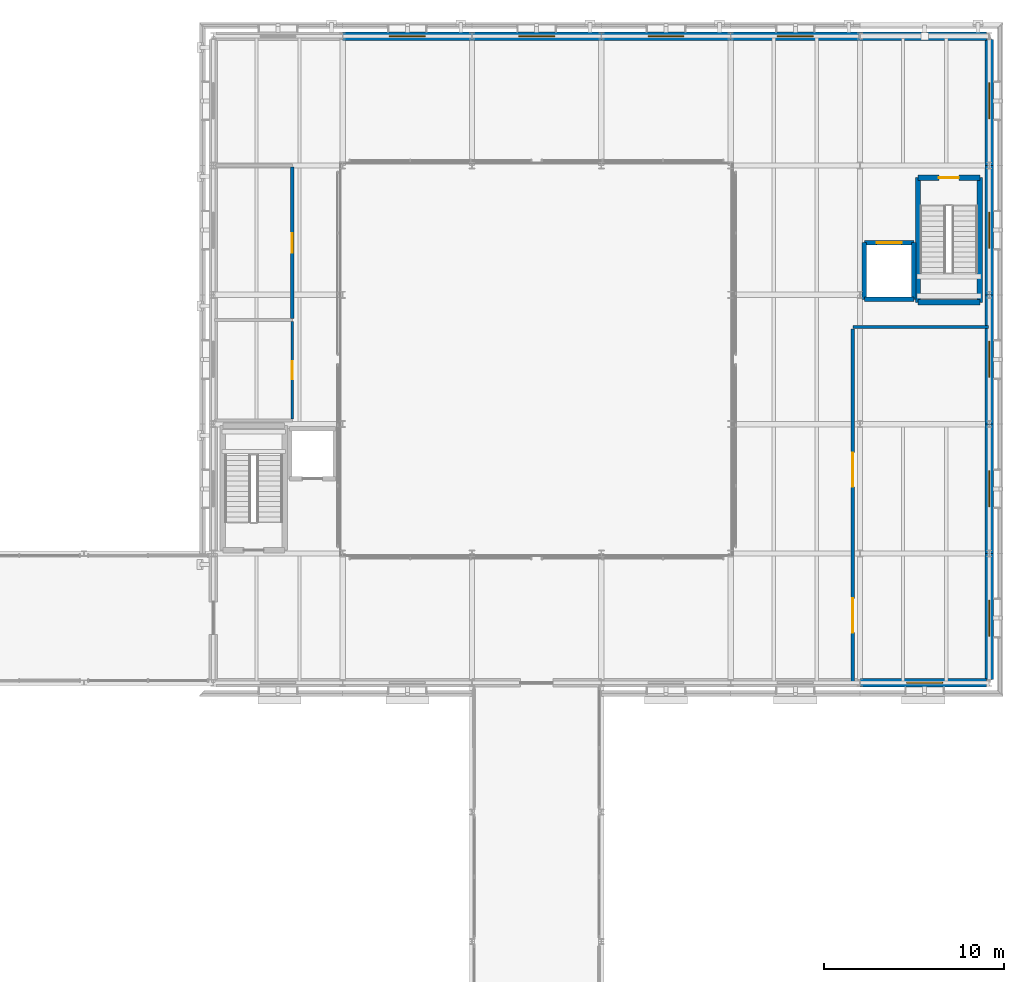
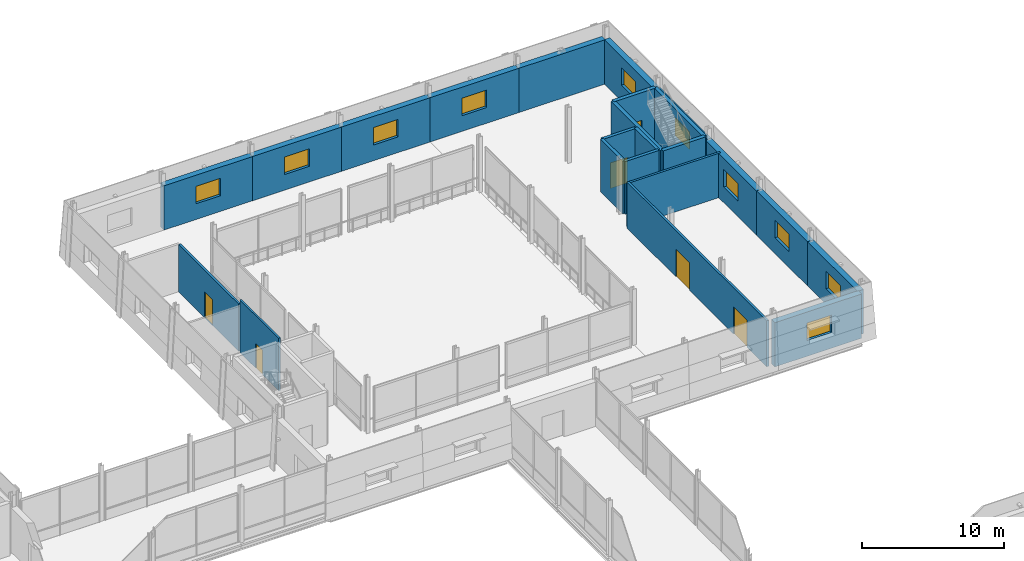
# One storey, part 87 of 121: 23 walls, 10 windows, 6 doors, 16 openings.
"""IFC4 building model written with IfcOpenShell, lengths in metres."""

from ifc_helpers import new_model, si_unit, direction, frame, frame_2d, origin, place, context, subcontext, project, spatial, rectangle, extrude, material, layer, layer_set, type_object, element, fill, save


model = new_model("IFC4")

# Units and contexts
model_context = context("Model", 3, precision=1e-05, world=origin(), true_north=direction((0.0, 1.0)))
body_context = subcontext(model_context, "Body", "Model", "MODEL_VIEW")
ifc_project = project(units=[si_unit("LENGTHUNIT", "METRE"), si_unit("AREAUNIT", "SQUARE_METRE"), si_unit("VOLUMEUNIT", "CUBIC_METRE"), si_unit("PLANEANGLEUNIT", "RADIAN"), si_unit("MASSUNIT", "GRAM", prefix="KILO")], contexts=[model_context])

# Site, building, storey
site_placement = place(None, origin())
site = spatial("IfcSite", under=ifc_project, at=site_placement, CompositionType="ELEMENT")
building_placement = place(site_placement, origin())
building = spatial("IfcBuilding", under=site, at=building_placement, Name="Narikvali Park Central Library", CompositionType="ELEMENT")
storey_placement = place(building_placement, frame((0.0, 0.0, 5.39990234375)))
storey = spatial("IfcBuildingStorey", under=building, at=storey_placement, Name="L01", CompositionType="ELEMENT", Elevation=5.39990234375)

# Wall, opening, door
ifc_material_1 = material(Name="Moisture-Resistant Cement Board on Steel Studs", Category="steel")
ifc_layer_1 = layer(ifc_material_1, 0.14990234375, Name="Moisture-Resistant Cement Board on Steel Studs")
ifc_layer_set_1 = layer_set([ifc_layer_1], Name="Moisture-Resistant Cement Board on Steel Studs")
wall_type_1 = type_object("IfcWallType", Name="Moisture-Resistant WC Partition 150", PredefinedType="PARTITIONING", material=ifc_layer_set_1)
wall_1_placement = place(storey_placement, frame((126.800048828125, 93.876953125, 0.0), z_axis=(0.0, 0.0, 1.0), x_axis=(0.0, 1.0, 0.0)))
wall_1 = element("IfcWall", 1, at=wall_1_placement, inside=storey, type_object=wall_type_1, Name="Upper Circle Accessible WC L01 Partition E", PredefinedType="PARTITIONING", context=body_context, shape_type="SweptSolid", body=[
    extrude(rectangle(XDim=5.446044921875, YDim=0.14990234375, at=frame_2d((2.72314453125, 0.0))), origin(), (0.0, 0.0, 1.0), 4.505126953125),
])
opening_1_placement = place(wall_1_placement, frame((2.23291015625, 0.0, 0.0)))
opening_1 = element("IfcOpeningElement", 2, at=opening_1_placement, cuts=wall_1, Name="Opening ID-0010", PredefinedType="OPENING", context=body_context, shape_type="SweptSolid", body=[
    extrude(rectangle(XDim=0.97998046875, YDim=2.10009765625, at=frame_2d((0.489990234375, 1.050048828125))), frame((0.0, 0.0869140625, 0.0), z_axis=(0.0, -1.0, 0.0), x_axis=(1.0, 0.0, 0.0)), (0.0, 0.0, 1.0), 0.173828125),
])
ifc_material_2 = material(Name="Laminate Faced Hardwood Core", Category="wood")
door_type_1 = type_object("IfcDoorType", Name="Accessible WC Outward-Opening Door 980x2100", OperationType="SINGLE_SWING_RIGHT", PredefinedType="DOOR", material=ifc_material_2)
door_1_placement = place(opening_1_placement, frame((0.97998046875, 0.0, 0.0), z_axis=(0.0, 0.0, 1.0), x_axis=(-1.0, 0.0, 0.0)))
door_1 = element("IfcDoor", 3, at=door_1_placement, inside=storey, type_object=door_type_1, Name="Upper Circle Accessible WC L01 Door ID-0010", OperationType="SINGLE_SWING_RIGHT", OverallHeight=2.10009765625, OverallWidth=0.97998046875, PredefinedType="DOOR", context=body_context, shape_type="SweptSolid", body=[
    extrude(rectangle(XDim=0.97998046875, YDim=2.10009765625, at=frame_2d((0.489990234375, 1.050048828125))), frame((0.0, 0.02490234375, 0.0), z_axis=(0.0, -1.0, 0.0), x_axis=(1.0, 0.0, 0.0)), (0.0, 0.0, 1.0), 0.050048828125),
])
fill(opening_1, door_1)

# Wall
ifc_material_3 = material(Name="Acoustic Gypsum on Steel Studs", Category="steel")
ifc_layer_2 = layer(ifc_material_3, 0.179931640625, Name="Acoustic Gypsum on Steel Studs")
ifc_layer_set_2 = layer_set([ifc_layer_2], Name="Acoustic Gypsum on Steel Studs")
wall_type_2 = type_object("IfcWallType", Name="Reading Room Acoustic Partition 180", PredefinedType="PARTITIONING", material=ifc_layer_set_2)
wall_2_placement = place(storey_placement, frame((158.0, 99.0, 0.0), z_axis=(0.0, 0.0, 1.0), x_axis=(1.0, 0.0, 0.0)))
element("IfcWall", 4, at=wall_2_placement, inside=storey, type_object=wall_type_2, Name="Chamber Lecture and Rehearsal Room Partition N", PredefinedType="PARTITIONING", context=body_context, shape_type="SweptSolid", body=[
    extrude(rectangle(XDim=7.544921875, YDim=0.179931640625, at=frame_2d((3.7724609375, 0.0))), origin(), (0.0, 0.0, 1.0), 3.80517578125),
])

# Wall, opening, door
wall_3_placement = place(storey_placement, frame((126.800048828125, 99.47705078125, 0.0), z_axis=(0.0, 0.0, 1.0), x_axis=(0.0, 1.0, 0.0)))
wall_3 = element("IfcWall", 5, at=wall_3_placement, inside=storey, type_object=wall_type_2, Name="Simultaneous Interpretation and Projection Suite Partition E", PredefinedType="PARTITIONING", context=body_context, shape_type="SweptSolid", body=[
    extrude(rectangle(XDim=8.430908203125, YDim=0.179931640625, at=frame_2d((4.21533203125, 0.0))), origin(), (0.0, 0.0, 1.0), 4.065185546875),
])
opening_2_placement = place(wall_3_placement, frame((3.675537109375, 0.0, 0.0)))
opening_2 = element("IfcOpeningElement", 6, at=opening_2_placement, cuts=wall_3, Name="Opening ID-0071", PredefinedType="OPENING", context=body_context, shape_type="SweptSolid", body=[
    extrude(rectangle(XDim=1.080078125, YDim=2.199951171875, at=frame_2d((0.5400390625, 1.10009765625))), frame((0.0, 0.10205078125, 0.0), z_axis=(0.0, -1.0, 0.0), x_axis=(1.0, 0.0, 0.0)), (0.0, 0.0, 1.0), 0.203857421875),
])
ifc_material_4 = material(Name="Heavy Acoustic Steel Core Leaf", Category="steel")
door_type_2 = type_object("IfcDoorType", Name="Media Recording Studio Acoustic Door 1080x2200", OperationType="SINGLE_SWING_RIGHT", PredefinedType="DOOR", material=ifc_material_4)
door_2_placement = place(opening_2_placement, origin())
door_2 = element("IfcDoor", 7, at=door_2_placement, inside=storey, type_object=door_type_2, Name="Simultaneous Interpretation and Projection Suite Door ID-0071", OperationType="SINGLE_SWING_LEFT", OverallHeight=2.199951171875, OverallWidth=1.080078125, PredefinedType="DOOR", context=body_context, shape_type="SweptSolid", body=[
    extrude(rectangle(XDim=1.080078125, YDim=2.199951171875, at=frame_2d((0.5400390625, 1.10009765625))), frame((0.0, 0.02490234375, 0.0), z_axis=(0.0, -1.0, 0.0), x_axis=(1.0, 0.0, 0.0)), (0.0, 0.0, 1.0), 0.050048828125),
])
fill(opening_2, door_2)

# Wall, openings, doors
wall_4_placement = place(storey_placement, frame((158.0, 79.2548828125, 0.0), z_axis=(0.0, 0.0, 1.0), x_axis=(0.0, 1.0, 0.0)))
wall_4 = element("IfcWall", 8, at=wall_4_placement, inside=storey, type_object=wall_type_2, Name="Chamber Lecture and Rehearsal Room Partition W", PredefinedType="PARTITIONING", context=body_context, shape_type="SweptSolid", body=[
    extrude(rectangle(XDim=19.653076171875, YDim=0.179931640625, at=frame_2d((9.82666015625, 0.0))), origin(), (0.0, 0.0, 1.0), 3.955078125),
])
opening_3_placement = place(wall_4_placement, frame((10.856689453125, 0.0, 0.0)))
opening_3 = element("IfcOpeningElement", 9, at=opening_3_placement, cuts=wall_4, Name="Opening ID-0072", PredefinedType="OPENING", context=body_context, shape_type="SweptSolid", body=[
    extrude(rectangle(XDim=1.89990234375, YDim=2.35009765625, at=frame_2d((0.949951171875, 1.175048828125))), frame((0.0, 0.10205078125, 0.0), z_axis=(0.0, -1.0, 0.0), x_axis=(1.0, 0.0, 0.0)), (0.0, 0.0, 1.0), 0.203857421875),
])
opening_4_placement = place(wall_4_placement, frame((2.742431640625, 0.0, 0.0)))
opening_4 = element("IfcOpeningElement", 10, at=opening_4_placement, cuts=wall_4, Name="Opening ID-0073", PredefinedType="OPENING", context=body_context, shape_type="SweptSolid", body=[
    extrude(rectangle(XDim=1.89990234375, YDim=2.35009765625, at=frame_2d((0.949951171875, 1.175048828125))), frame((0.0, 0.10205078125, 0.0), z_axis=(0.0, -1.0, 0.0), x_axis=(1.0, 0.0, 0.0)), (0.0, 0.0, 1.0), 0.203857421875),
])
ifc_material_5 = material(Name="Solid Caucasian Oak Acoustic Leaf")
door_type_3 = type_object("IfcDoorType", Name="Lecture Hall Double Acoustic Door 1900x2350", OperationType="DOUBLE_DOOR_SINGLE_SWING", PredefinedType="DOOR", material=ifc_material_5)
door_3_placement = place(opening_3_placement, origin())
door_3 = element("IfcDoor", 11, at=door_3_placement, inside=storey, type_object=door_type_3, Name="Chamber Lecture and Rehearsal Room Door ID-0072", OperationType="DOUBLE_DOOR_SINGLE_SWING", OverallHeight=2.35009765625, OverallWidth=1.89990234375, PredefinedType="DOOR", context=body_context, shape_type="SweptSolid", body=[
    extrude(rectangle(XDim=1.89990234375, YDim=2.35009765625, at=frame_2d((0.949951171875, 1.175048828125))), frame((0.0, 0.02490234375, 0.0), z_axis=(0.0, -1.0, 0.0), x_axis=(1.0, 0.0, 0.0)), (0.0, 0.0, 1.0), 0.050048828125),
])
fill(opening_3, door_3)
door_4_placement = place(opening_4_placement, origin())
door_4 = element("IfcDoor", 12, at=door_4_placement, inside=storey, type_object=door_type_3, Name="Chamber Lecture and Rehearsal Room Door ID-0073", OperationType="DOUBLE_DOOR_SINGLE_SWING", OverallHeight=2.35009765625, OverallWidth=1.89990234375, PredefinedType="DOOR", context=body_context, shape_type="SweptSolid", body=[
    extrude(rectangle(XDim=1.89990234375, YDim=2.35009765625, at=frame_2d((0.949951171875, 1.175048828125))), frame((0.0, 0.02490234375, 0.0), z_axis=(0.0, -1.0, 0.0), x_axis=(1.0, 0.0, 0.0)), (0.0, 0.0, 1.0), 0.050048828125),
])
fill(opening_4, door_4)

# Walls
ifc_material_6 = material(Name="Concrete C40/50", Category="concrete")
ifc_layer_3 = layer(ifc_material_6, 0.25, Name="Concrete C40/50")
ifc_layer_set_3 = layer_set([ifc_layer_3], Name="Concrete C40/50")
wall_type_3 = type_object("IfcWallType", Name="Reinforced Concrete Lift Shaft Wall 250", PredefinedType="SHEAR", material=ifc_layer_set_3)
wall_5_placement = place(storey_placement, frame((158.64990234375, 100.550048828125, 0.0), z_axis=(0.0, 0.0, 1.0), x_axis=(1.0, 0.0, 0.0)))
element("IfcWall", 13, at=wall_5_placement, inside=storey, type_object=wall_type_3, Name="GL-01 L01 Lift Shaft Wall S", PredefinedType="SHEAR", context=body_context, shape_type="SweptSolid", body=[
    extrude(rectangle(XDim=2.75, YDim=0.25, at=frame_2d((1.375, 0.0))), origin(), (0.0, 0.0, 1.0), 4.52001953125),
])
wall_6_placement = place(storey_placement, frame((161.39990234375, 100.550048828125, 0.0), z_axis=(0.0, 0.0, 1.0), x_axis=(0.0, 1.0, 0.0)))
element("IfcWall", 14, at=wall_6_placement, inside=storey, type_object=wall_type_3, Name="GL-01 L01 Lift Shaft Wall E", PredefinedType="SHEAR", context=body_context, shape_type="SweptSolid", body=[
    extrude(rectangle(XDim=3.14990234375, YDim=0.25, at=frame_2d((1.574951171875, 0.0))), origin(), (0.0, 0.0, 1.0), 4.52001953125),
])

# Wall, opening, door
wall_7_placement = place(storey_placement, frame((161.39990234375, 103.699951171875, 0.0), z_axis=(0.0, 0.0, 1.0), x_axis=(-1.0, 0.0, 0.0)))
wall_7 = element("IfcWall", 15, at=wall_7_placement, inside=storey, type_object=wall_type_3, Name="GL-01 L01 Lift Shaft Wall N", PredefinedType="SHEAR", context=body_context, shape_type="SweptSolid", body=[
    extrude(rectangle(XDim=2.75, YDim=0.25, at=frame_2d((1.375, 0.0))), origin(), (0.0, 0.0, 1.0), 4.52001953125),
])
opening_5_placement = place(wall_7_placement, frame((0.675048828125, 0.0, 0.0)))
opening_5 = element("IfcOpeningElement", 16, at=opening_5_placement, cuts=wall_7, Name="Opening LD-020", PredefinedType="OPENING", context=body_context, shape_type="SweptSolid", body=[
    extrude(rectangle(XDim=1.39990234375, YDim=2.199951171875, at=frame_2d((0.699951171875, 1.10009765625))), frame((0.0, 0.136962890625, 0.0), z_axis=(0.0, -1.0, 0.0), x_axis=(1.0, 0.0, 0.0)), (0.0, 0.0, 1.0), 0.27392578125),
])
ifc_material_7 = material(Name="Brushed Stainless Steel S355", Category="steel")
door_type_4 = type_object("IfcDoorType", Name="Book Goods Lift Sliding Landing Door 1400x2200", OperationType="DOUBLE_DOOR_SLIDING", PredefinedType="DOOR", material=ifc_material_7)
door_5_placement = place(opening_5_placement, origin())
door_5 = element("IfcDoor", 17, at=door_5_placement, inside=storey, type_object=door_type_4, Name="GL-01 L01 Lift Landing Sliding Door LD-020", OperationType="DOUBLE_DOOR_SLIDING", OverallHeight=2.199951171875, OverallWidth=1.39990234375, PredefinedType="DOOR", context=body_context, shape_type="SweptSolid", body=[
    extrude(rectangle(XDim=1.39990234375, YDim=2.199951171875, at=frame_2d((0.699951171875, 1.10009765625))), frame((0.0, 0.02490234375, 0.0), z_axis=(0.0, -1.0, 0.0), x_axis=(1.0, 0.0, 0.0)), (0.0, 0.0, 1.0), 0.050048828125),
])
fill(opening_5, door_5)

# Walls
wall_8_placement = place(storey_placement, frame((158.64990234375, 103.699951171875, 0.0), z_axis=(0.0, 0.0, 1.0), x_axis=(0.0, -1.0, 0.0)))
element("IfcWall", 18, at=wall_8_placement, inside=storey, type_object=wall_type_3, Name="GL-01 L01 Lift Shaft Wall W", PredefinedType="SHEAR", context=body_context, shape_type="SweptSolid", body=[
    extrude(rectangle(XDim=3.14990234375, YDim=0.25, at=frame_2d((1.574951171875, 0.0))), origin(), (0.0, 0.0, 1.0), 4.52001953125),
])
ifc_layer_4 = layer(ifc_material_6, 0.300048828125, Name="Concrete C40/50")
ifc_layer_set_4 = layer_set([ifc_layer_4], Name="Concrete C40/50")
wall_type_4 = type_object("IfcWallType", Name="Reinforced Concrete Shear Wall 300", PredefinedType="SHEAR", material=ifc_layer_set_4)
wall_9_placement = place(storey_placement, frame((161.6298828125, 100.3798828125, 0.0), z_axis=(0.0, 0.0, 1.0), x_axis=(1.0, 0.0, 0.0)))
element("IfcWall", 19, at=wall_9_placement, inside=storey, type_object=wall_type_4, Name="C3B L01 Stair Core Shear Wall S", PredefinedType="SHEAR", context=body_context, shape_type="SweptSolid", body=[
    extrude(rectangle(XDim=3.440185546875, YDim=0.300048828125, at=frame_2d((1.72021484375, 0.0))), origin(), (0.0, 0.0, 1.0), 4.52001953125),
])
wall_10_placement = place(storey_placement, frame((165.070068359375, 100.3798828125, 0.0), z_axis=(0.0, 0.0, 1.0), x_axis=(0.0, 1.0, 0.0)))
element("IfcWall", 20, at=wall_10_placement, inside=storey, type_object=wall_type_4, Name="C3B L01 Stair Core Shear Wall E", PredefinedType="SHEAR", context=body_context, shape_type="SweptSolid", body=[
    extrude(rectangle(XDim=6.940185546875, YDim=0.300048828125, at=frame_2d((3.47021484375, 0.0))), origin(), (0.0, 0.0, 1.0), 4.52001953125),
])

# Wall, opening, door
wall_11_placement = place(storey_placement, frame((165.070068359375, 107.320068359375, 0.0), z_axis=(0.0, 0.0, 1.0), x_axis=(-1.0, 0.0, 0.0)))
wall_11 = element("IfcWall", 21, at=wall_11_placement, inside=storey, type_object=wall_type_4, Name="C3B L01 Stair Core Shear Wall N", PredefinedType="SHEAR", context=body_context, shape_type="SweptSolid", body=[
    extrude(rectangle(XDim=3.440185546875, YDim=0.300048828125, at=frame_2d((1.72021484375, 0.0))), origin(), (0.0, 0.0, 1.0), 4.52001953125),
])
opening_6_placement = place(wall_11_placement, frame((1.169921875, 0.0, 0.0)))
opening_6 = element("IfcOpeningElement", 22, at=opening_6_placement, cuts=wall_11, Name="Opening SD-022", PredefinedType="OPENING", context=body_context, shape_type="SweptSolid", body=[
    extrude(rectangle(XDim=1.10009765625, YDim=2.14990234375, at=frame_2d((0.550048828125, 1.074951171875))), frame((0.0, 0.162109375, 0.0), z_axis=(0.0, -1.0, 0.0), x_axis=(1.0, 0.0, 0.0)), (0.0, 0.0, 1.0), 0.323974609375),
])
ifc_material_8 = material(Name="Powder-Coated Steel S275 Fire Leaf", Category="steel")
door_type_5 = type_object("IfcDoorType", Name="Stair Core Smoke-Control Fire Door 1100x2150", OperationType="SINGLE_SWING_LEFT", PredefinedType="DOOR", material=ifc_material_8)
door_6_placement = place(opening_6_placement, frame((1.10009765625, 0.0, 0.0), z_axis=(0.0, 0.0, 1.0), x_axis=(-1.0, 0.0, 0.0)))
door_6 = element("IfcDoor", 23, at=door_6_placement, inside=storey, type_object=door_type_5, Name="ST-06 L01 Stair Exit Door SD-022", OperationType="SINGLE_SWING_RIGHT", OverallHeight=2.14990234375, OverallWidth=1.10009765625, PredefinedType="DOOR", context=body_context, shape_type="SweptSolid", body=[
    extrude(rectangle(XDim=1.10009765625, YDim=2.14990234375, at=frame_2d((0.550048828125, 1.074951171875))), frame((0.0, 0.02490234375, 0.0), z_axis=(0.0, -1.0, 0.0), x_axis=(1.0, 0.0, 0.0)), (0.0, 0.0, 1.0), 0.050048828125),
])
fill(opening_6, door_6)

# Wall
wall_12_placement = place(storey_placement, frame((161.6298828125, 107.320068359375, 0.0), z_axis=(0.0, 0.0, 1.0), x_axis=(0.0, -1.0, 0.0)))
element("IfcWall", 24, at=wall_12_placement, inside=storey, type_object=wall_type_4, Name="C3B L01 Stair Core Shear Wall W", PredefinedType="SHEAR", context=body_context, shape_type="SweptSolid", body=[
    extrude(rectangle(XDim=6.940185546875, YDim=0.300048828125, at=frame_2d((3.47021484375, 0.0))), origin(), (0.0, 0.0, 1.0), 4.52001953125),
])

# Wall, opening, window
ifc_material_9 = material(Name="White Honed Limestone over Concrete C35/45", Category="masonry")
ifc_layer_5 = layer(ifc_material_9, 0.47998046875, Name="White Honed Limestone over Concrete C35/45")
ifc_layer_set_5 = layer_set([ifc_layer_5], Name="White Honed Limestone over Concrete C35/45")
wall_type_5 = type_object("IfcWallType", Name="White Limestone Battered Tier1 Wall 480", PredefinedType="SOLIDWALL", material=ifc_layer_set_5)
wall_13_placement = place(storey_placement, frame((158.39990234375, 79.199951171875, 0.0), z_axis=(0.0, 0.0, 1.0), x_axis=(1.0, 0.0, 0.0)))
wall_13 = element("IfcWall", 25, at=wall_13_placement, inside=storey, type_object=wall_type_5, Name="V3 L01 S Exterior Limestone Wall B06", PredefinedType="SOLIDWALL", context=body_context, shape_type="SweptSolid", body=[
    extrude(rectangle(XDim=7.046142578125, YDim=0.47998046875, at=frame_2d((3.52294921875, 0.0))), origin(), (0.0, 0.0, 1.0), 3.800048828125),
])
opening_7_placement = place(wall_13_placement, frame((2.60009765625, 0.0, 1.35009765625)))
opening_7 = element("IfcOpeningElement", 26, at=opening_7_placement, cuts=wall_13, Name="Opening WIN-0092", PredefinedType="OPENING", context=body_context, shape_type="SweptSolid", body=[
    extrude(rectangle(XDim=2.0, YDim=1.5, at=frame_2d((1.0, 0.75))), frame((0.0, 0.251953125, 0.0), z_axis=(0.0, -1.0, 0.0), x_axis=(1.0, 0.0, 0.0)), (0.0, 0.0, 1.0), 0.50390625),
])
ifc_material_10 = material(Name="Anodised Bronze Aluminium and Low-E Triple Glazing", Category="aluminium")
window_type = type_object("IfcWindowType", Name="Auditorium Acoustic Clerestory Window 2000x1500", PartitioningType="DOUBLE_PANEL_HORIZONTAL", PredefinedType="WINDOW", material=ifc_material_10)
window_1_placement = place(opening_7_placement, origin())
window_1 = element("IfcWindow", 27, at=window_1_placement, inside=storey, type_object=window_type, Name="V3 L01 S Deep-Reveal Window WIN-0092", OverallHeight=1.5, OverallWidth=2.0, PartitioningType="SINGLE_PANEL", PredefinedType="WINDOW", context=body_context, shape_type="SweptSolid", body=[
    extrude(rectangle(XDim=2.0, YDim=1.5, at=frame_2d((1.0, 0.75))), frame((0.0, 0.030029296875, 0.0), z_axis=(0.0, -1.0, 0.0), x_axis=(1.0, 0.0, 0.0)), (0.0, 0.0, 1.0), 0.06005859375),
])
fill(opening_7, window_1)

wall_14_placement = place(storey_placement, frame((165.60009765625, 79.384033203125, 0.0), z_axis=(0.0, 0.0, 1.0), x_axis=(0.0, 1.0, 0.0)))
wall_14 = element("IfcWall", 28, at=wall_14_placement, inside=storey, type_object=wall_type_5, Name="V3 L01 E Exterior Limestone Wall B01", PredefinedType="SOLIDWALL", context=body_context, shape_type="SweptSolid", body=[
    extrude(rectangle(XDim=7.015869140625, YDim=0.47998046875, at=frame_2d((3.5078125, 0.0))), origin(), (0.0, 0.0, 1.0), 3.800048828125),
])
opening_8_placement = place(wall_14_placement, frame((2.416015625, 0.0, 1.35009765625)))
opening_8 = element("IfcOpeningElement", 29, at=opening_8_placement, cuts=wall_14, Name="Opening WIN-0093", PredefinedType="OPENING", context=body_context, shape_type="SweptSolid", body=[
    extrude(rectangle(XDim=2.0, YDim=1.5, at=frame_2d((1.0, 0.75))), frame((0.0, 0.251953125, 0.0), z_axis=(0.0, -1.0, 0.0), x_axis=(1.0, 0.0, 0.0)), (0.0, 0.0, 1.0), 0.50390625),
])
window_2_placement = place(opening_8_placement, origin())
window_2 = element("IfcWindow", 30, at=window_2_placement, inside=storey, type_object=window_type, Name="V3 L01 E Deep-Reveal Window WIN-0093", OverallHeight=1.5, OverallWidth=2.0, PartitioningType="SINGLE_PANEL", PredefinedType="WINDOW", context=body_context, shape_type="SweptSolid", body=[
    extrude(rectangle(XDim=2.0, YDim=1.5, at=frame_2d((1.0, 0.75))), frame((0.0, 0.030029296875, 0.0), z_axis=(0.0, -1.0, 0.0), x_axis=(1.0, 0.0, 0.0)), (0.0, 0.0, 1.0), 0.06005859375),
])
fill(opening_8, window_2)

wall_15_placement = place(storey_placement, frame((165.60009765625, 86.39990234375, 0.0), z_axis=(0.0, 0.0, 1.0), x_axis=(0.0, 1.0, 0.0)))
wall_15 = element("IfcWall", 31, at=wall_15_placement, inside=storey, type_object=wall_type_5, Name="V3 L01 E Exterior Limestone Wall B02", PredefinedType="SOLIDWALL", context=body_context, shape_type="SweptSolid", body=[
    extrude(rectangle(XDim=7.2001953125, YDim=0.47998046875, at=frame_2d((3.60009765625, 0.0))), origin(), (0.0, 0.0, 1.0), 3.800048828125),
])
opening_9_placement = place(wall_15_placement, frame((2.60009765625, 0.0, 1.35009765625)))
opening_9 = element("IfcOpeningElement", 32, at=opening_9_placement, cuts=wall_15, Name="Opening WIN-0094", PredefinedType="OPENING", context=body_context, shape_type="SweptSolid", body=[
    extrude(rectangle(XDim=2.0, YDim=1.5, at=frame_2d((1.0, 0.75))), frame((0.0, 0.251953125, 0.0), z_axis=(0.0, -1.0, 0.0), x_axis=(1.0, 0.0, 0.0)), (0.0, 0.0, 1.0), 0.50390625),
])
window_3_placement = place(opening_9_placement, origin())
window_3 = element("IfcWindow", 33, at=window_3_placement, inside=storey, type_object=window_type, Name="V3 L01 E Deep-Reveal Window WIN-0094", OverallHeight=1.5, OverallWidth=2.0, PartitioningType="SINGLE_PANEL", PredefinedType="WINDOW", context=body_context, shape_type="SweptSolid", body=[
    extrude(rectangle(XDim=2.0, YDim=1.5, at=frame_2d((1.0, 0.75))), frame((0.0, 0.030029296875, 0.0), z_axis=(0.0, -1.0, 0.0), x_axis=(1.0, 0.0, 0.0)), (0.0, 0.0, 1.0), 0.06005859375),
])
fill(opening_9, window_3)

wall_16_placement = place(storey_placement, frame((165.60009765625, 93.60009765625, 0.0), z_axis=(0.0, 0.0, 1.0), x_axis=(0.0, 1.0, 0.0)))
wall_16 = element("IfcWall", 34, at=wall_16_placement, inside=storey, type_object=wall_type_5, Name="V3 L01 E Exterior Limestone Wall B03", PredefinedType="SOLIDWALL", context=body_context, shape_type="SweptSolid", body=[
    extrude(rectangle(XDim=7.199951171875, YDim=0.47998046875, at=frame_2d((3.60009765625, 0.0))), origin(), (0.0, 0.0, 1.0), 3.800048828125),
])
opening_10_placement = place(wall_16_placement, frame((2.60009765625, 0.0, 1.35009765625)))
opening_10 = element("IfcOpeningElement", 35, at=opening_10_placement, cuts=wall_16, Name="Opening WIN-0095", PredefinedType="OPENING", context=body_context, shape_type="SweptSolid", body=[
    extrude(rectangle(XDim=2.0, YDim=1.5, at=frame_2d((1.0, 0.75))), frame((0.0, 0.251953125, 0.0), z_axis=(0.0, -1.0, 0.0), x_axis=(1.0, 0.0, 0.0)), (0.0, 0.0, 1.0), 0.50390625),
])
window_4_placement = place(opening_10_placement, origin())
window_4 = element("IfcWindow", 36, at=window_4_placement, inside=storey, type_object=window_type, Name="V3 L01 E Deep-Reveal Window WIN-0095", OverallHeight=1.5, OverallWidth=2.0, PartitioningType="SINGLE_PANEL", PredefinedType="WINDOW", context=body_context, shape_type="SweptSolid", body=[
    extrude(rectangle(XDim=2.0, YDim=1.5, at=frame_2d((1.0, 0.75))), frame((0.0, 0.030029296875, 0.0), z_axis=(0.0, -1.0, 0.0), x_axis=(1.0, 0.0, 0.0)), (0.0, 0.0, 1.0), 0.06005859375),
])
fill(opening_10, window_4)

wall_17_placement = place(storey_placement, frame((165.60009765625, 100.800048828125, 0.0), z_axis=(0.0, 0.0, 1.0), x_axis=(0.0, 1.0, 0.0)))
wall_17 = element("IfcWall", 37, at=wall_17_placement, inside=storey, type_object=wall_type_5, Name="V3 L01 E Exterior Limestone Wall B04", PredefinedType="SOLIDWALL", context=body_context, shape_type="SweptSolid", body=[
    extrude(rectangle(XDim=7.199951171875, YDim=0.47998046875, at=frame_2d((3.60009765625, 0.0))), origin(), (0.0, 0.0, 1.0), 3.800048828125),
])
opening_11_placement = place(wall_17_placement, frame((2.60009765625, 0.0, 1.35009765625)))
opening_11 = element("IfcOpeningElement", 38, at=opening_11_placement, cuts=wall_17, Name="Opening WIN-0096", PredefinedType="OPENING", context=body_context, shape_type="SweptSolid", body=[
    extrude(rectangle(XDim=2.0, YDim=1.5, at=frame_2d((1.0, 0.75))), frame((0.0, 0.251953125, 0.0), z_axis=(0.0, -1.0, 0.0), x_axis=(1.0, 0.0, 0.0)), (0.0, 0.0, 1.0), 0.50390625),
])
window_5_placement = place(opening_11_placement, origin())
window_5 = element("IfcWindow", 39, at=window_5_placement, inside=storey, type_object=window_type, Name="V3 L01 E Deep-Reveal Window WIN-0096", OverallHeight=1.5, OverallWidth=2.0, PartitioningType="SINGLE_PANEL", PredefinedType="WINDOW", context=body_context, shape_type="SweptSolid", body=[
    extrude(rectangle(XDim=2.0, YDim=1.5, at=frame_2d((1.0, 0.75))), frame((0.0, 0.030029296875, 0.0), z_axis=(0.0, -1.0, 0.0), x_axis=(1.0, 0.0, 0.0)), (0.0, 0.0, 1.0), 0.06005859375),
])
fill(opening_11, window_5)

wall_18_placement = place(storey_placement, frame((165.60009765625, 108.0, 0.0), z_axis=(0.0, 0.0, 1.0), x_axis=(0.0, 1.0, 0.0)))
wall_18 = element("IfcWall", 40, at=wall_18_placement, inside=storey, type_object=wall_type_5, Name="V3 L01 E Exterior Limestone Wall B05", PredefinedType="SOLIDWALL", context=body_context, shape_type="SweptSolid", body=[
    extrude(rectangle(XDim=7.01611328125, YDim=0.47998046875, at=frame_2d((3.508056640625, 0.0))), origin(), (0.0, 0.0, 1.0), 3.800048828125),
])
opening_12_placement = place(wall_18_placement, frame((2.60009765625, 0.0, 1.35009765625)))
opening_12 = element("IfcOpeningElement", 41, at=opening_12_placement, cuts=wall_18, Name="Opening WIN-0097", PredefinedType="OPENING", context=body_context, shape_type="SweptSolid", body=[
    extrude(rectangle(XDim=2.0, YDim=1.5, at=frame_2d((1.0, 0.75))), frame((0.0, 0.251953125, 0.0), z_axis=(0.0, -1.0, 0.0), x_axis=(1.0, 0.0, 0.0)), (0.0, 0.0, 1.0), 0.50390625),
])
window_6_placement = place(opening_12_placement, origin())
window_6 = element("IfcWindow", 42, at=window_6_placement, inside=storey, type_object=window_type, Name="V3 L01 E Deep-Reveal Window WIN-0097", OverallHeight=1.5, OverallWidth=2.0, PartitioningType="SINGLE_PANEL", PredefinedType="WINDOW", context=body_context, shape_type="SweptSolid", body=[
    extrude(rectangle(XDim=2.0, YDim=1.5, at=frame_2d((1.0, 0.75))), frame((0.0, 0.030029296875, 0.0), z_axis=(0.0, -1.0, 0.0), x_axis=(1.0, 0.0, 0.0)), (0.0, 0.0, 1.0), 0.06005859375),
])
fill(opening_12, window_6)

# Wall
wall_19_placement = place(storey_placement, frame((165.446044921875, 115.199951171875, 0.0), z_axis=(0.0, 0.0, 1.0), x_axis=(-1.0, 0.0, 0.0)))
element("IfcWall", 43, at=wall_19_placement, inside=storey, type_object=wall_type_5, Name="V3 L01 N Exterior Limestone Wall B01", PredefinedType="SOLIDWALL", context=body_context, shape_type="SweptSolid", body=[
    extrude(rectangle(XDim=7.046142578125, YDim=0.47998046875, at=frame_2d((3.52294921875, 0.0))), origin(), (0.0, 0.0, 1.0), 3.800048828125),
])

# Wall, opening, window
wall_20_placement = place(storey_placement, frame((158.39990234375, 115.199951171875, 0.0), z_axis=(0.0, 0.0, 1.0), x_axis=(-1.0, 0.0, 0.0)))
wall_20 = element("IfcWall", 44, at=wall_20_placement, inside=storey, type_object=wall_type_5, Name="V3 L01 N Exterior Limestone Wall B02", PredefinedType="SOLIDWALL", context=body_context, shape_type="SweptSolid", body=[
    extrude(rectangle(XDim=7.199951171875, YDim=0.47998046875, at=frame_2d((3.60009765625, 0.0))), origin(), (0.0, 0.0, 1.0), 3.800048828125),
])
opening_13_placement = place(wall_20_placement, frame((2.60009765625, 0.0, 1.35009765625)))
opening_13 = element("IfcOpeningElement", 45, at=opening_13_placement, cuts=wall_20, Name="Opening WIN-0098", PredefinedType="OPENING", context=body_context, shape_type="SweptSolid", body=[
    extrude(rectangle(XDim=2.0, YDim=1.5, at=frame_2d((1.0, 0.75))), frame((0.0, 0.251953125, 0.0), z_axis=(0.0, -1.0, 0.0), x_axis=(1.0, 0.0, 0.0)), (0.0, 0.0, 1.0), 0.50390625),
])
window_7_placement = place(opening_13_placement, origin())
window_7 = element("IfcWindow", 46, at=window_7_placement, inside=storey, type_object=window_type, Name="V3 L01 N Deep-Reveal Window WIN-0098", OverallHeight=1.5, OverallWidth=2.0, PartitioningType="SINGLE_PANEL", PredefinedType="WINDOW", context=body_context, shape_type="SweptSolid", body=[
    extrude(rectangle(XDim=2.0, YDim=1.5, at=frame_2d((1.0, 0.75))), frame((0.0, 0.030029296875, 0.0), z_axis=(0.0, -1.0, 0.0), x_axis=(1.0, 0.0, 0.0)), (0.0, 0.0, 1.0), 0.06005859375),
])
fill(opening_13, window_7)

wall_21_placement = place(storey_placement, frame((151.199951171875, 115.199951171875, 0.0), z_axis=(0.0, 0.0, 1.0), x_axis=(-1.0, 0.0, 0.0)))
wall_21 = element("IfcWall", 47, at=wall_21_placement, inside=storey, type_object=wall_type_5, Name="V3 L01 N Exterior Limestone Wall B03", PredefinedType="SOLIDWALL", context=body_context, shape_type="SweptSolid", body=[
    extrude(rectangle(XDim=7.199951171875, YDim=0.47998046875, at=frame_2d((3.60009765625, 0.0))), origin(), (0.0, 0.0, 1.0), 3.800048828125),
])
opening_14_placement = place(wall_21_placement, frame((2.60009765625, 0.0, 1.35009765625)))
opening_14 = element("IfcOpeningElement", 48, at=opening_14_placement, cuts=wall_21, Name="Opening WIN-0099", PredefinedType="OPENING", context=body_context, shape_type="SweptSolid", body=[
    extrude(rectangle(XDim=2.0, YDim=1.5, at=frame_2d((1.0, 0.75))), frame((0.0, 0.251953125, 0.0), z_axis=(0.0, -1.0, 0.0), x_axis=(1.0, 0.0, 0.0)), (0.0, 0.0, 1.0), 0.50390625),
])
window_8_placement = place(opening_14_placement, origin())
window_8 = element("IfcWindow", 49, at=window_8_placement, inside=storey, type_object=window_type, Name="V3 L01 N Deep-Reveal Window WIN-0099", OverallHeight=1.5, OverallWidth=2.0, PartitioningType="SINGLE_PANEL", PredefinedType="WINDOW", context=body_context, shape_type="SweptSolid", body=[
    extrude(rectangle(XDim=2.0, YDim=1.5, at=frame_2d((1.0, 0.75))), frame((0.0, 0.030029296875, 0.0), z_axis=(0.0, -1.0, 0.0), x_axis=(1.0, 0.0, 0.0)), (0.0, 0.0, 1.0), 0.06005859375),
])
fill(opening_14, window_8)

wall_22_placement = place(storey_placement, frame((144.0, 115.199951171875, 0.0), z_axis=(0.0, 0.0, 1.0), x_axis=(-1.0, 0.0, 0.0)))
wall_22 = element("IfcWall", 50, at=wall_22_placement, inside=storey, type_object=wall_type_5, Name="V3 L01 N Exterior Limestone Wall B04", PredefinedType="SOLIDWALL", context=body_context, shape_type="SweptSolid", body=[
    extrude(rectangle(XDim=7.199951171875, YDim=0.47998046875, at=frame_2d((3.60009765625, 0.0))), origin(), (0.0, 0.0, 1.0), 3.800048828125),
])
opening_15_placement = place(wall_22_placement, frame((2.60009765625, 0.0, 1.35009765625)))
opening_15 = element("IfcOpeningElement", 51, at=opening_15_placement, cuts=wall_22, Name="Opening WIN-0100", PredefinedType="OPENING", context=body_context, shape_type="SweptSolid", body=[
    extrude(rectangle(XDim=2.0, YDim=1.5, at=frame_2d((1.0, 0.75))), frame((0.0, 0.251953125, 0.0), z_axis=(0.0, -1.0, 0.0), x_axis=(1.0, 0.0, 0.0)), (0.0, 0.0, 1.0), 0.50390625),
])
window_9_placement = place(opening_15_placement, origin())
window_9 = element("IfcWindow", 52, at=window_9_placement, inside=storey, type_object=window_type, Name="V3 L01 N Deep-Reveal Window WIN-0100", OverallHeight=1.5, OverallWidth=2.0, PartitioningType="SINGLE_PANEL", PredefinedType="WINDOW", context=body_context, shape_type="SweptSolid", body=[
    extrude(rectangle(XDim=2.0, YDim=1.5, at=frame_2d((1.0, 0.75))), frame((0.0, 0.030029296875, 0.0), z_axis=(0.0, -1.0, 0.0), x_axis=(1.0, 0.0, 0.0)), (0.0, 0.0, 1.0), 0.06005859375),
])
fill(opening_15, window_9)

wall_23_placement = place(storey_placement, frame((136.800048828125, 115.199951171875, 0.0), z_axis=(0.0, 0.0, 1.0), x_axis=(-1.0, 0.0, 0.0)))
wall_23 = element("IfcWall", 53, at=wall_23_placement, inside=storey, type_object=wall_type_5, Name="V3 L01 N Exterior Limestone Wall B05", PredefinedType="SOLIDWALL", context=body_context, shape_type="SweptSolid", body=[
    extrude(rectangle(XDim=7.199951171875, YDim=0.47998046875, at=frame_2d((3.60009765625, 0.0))), origin(), (0.0, 0.0, 1.0), 3.800048828125),
])
opening_16_placement = place(wall_23_placement, frame((2.60009765625, 0.0, 1.35009765625)))
opening_16 = element("IfcOpeningElement", 54, at=opening_16_placement, cuts=wall_23, Name="Opening WIN-0101", PredefinedType="OPENING", context=body_context, shape_type="SweptSolid", body=[
    extrude(rectangle(XDim=2.0, YDim=1.5, at=frame_2d((1.0, 0.75))), frame((0.0, 0.251953125, 0.0), z_axis=(0.0, -1.0, 0.0), x_axis=(1.0, 0.0, 0.0)), (0.0, 0.0, 1.0), 0.50390625),
])
window_10_placement = place(opening_16_placement, origin())
window_10 = element("IfcWindow", 55, at=window_10_placement, inside=storey, type_object=window_type, Name="V3 L01 N Deep-Reveal Window WIN-0101", OverallHeight=1.5, OverallWidth=2.0, PartitioningType="SINGLE_PANEL", PredefinedType="WINDOW", context=body_context, shape_type="SweptSolid", body=[
    extrude(rectangle(XDim=2.0, YDim=1.5, at=frame_2d((1.0, 0.75))), frame((0.0, 0.030029296875, 0.0), z_axis=(0.0, -1.0, 0.0), x_axis=(1.0, 0.0, 0.0)), (0.0, 0.0, 1.0), 0.06005859375),
])
fill(opening_16, window_10)

save(model, "model.ifc")
